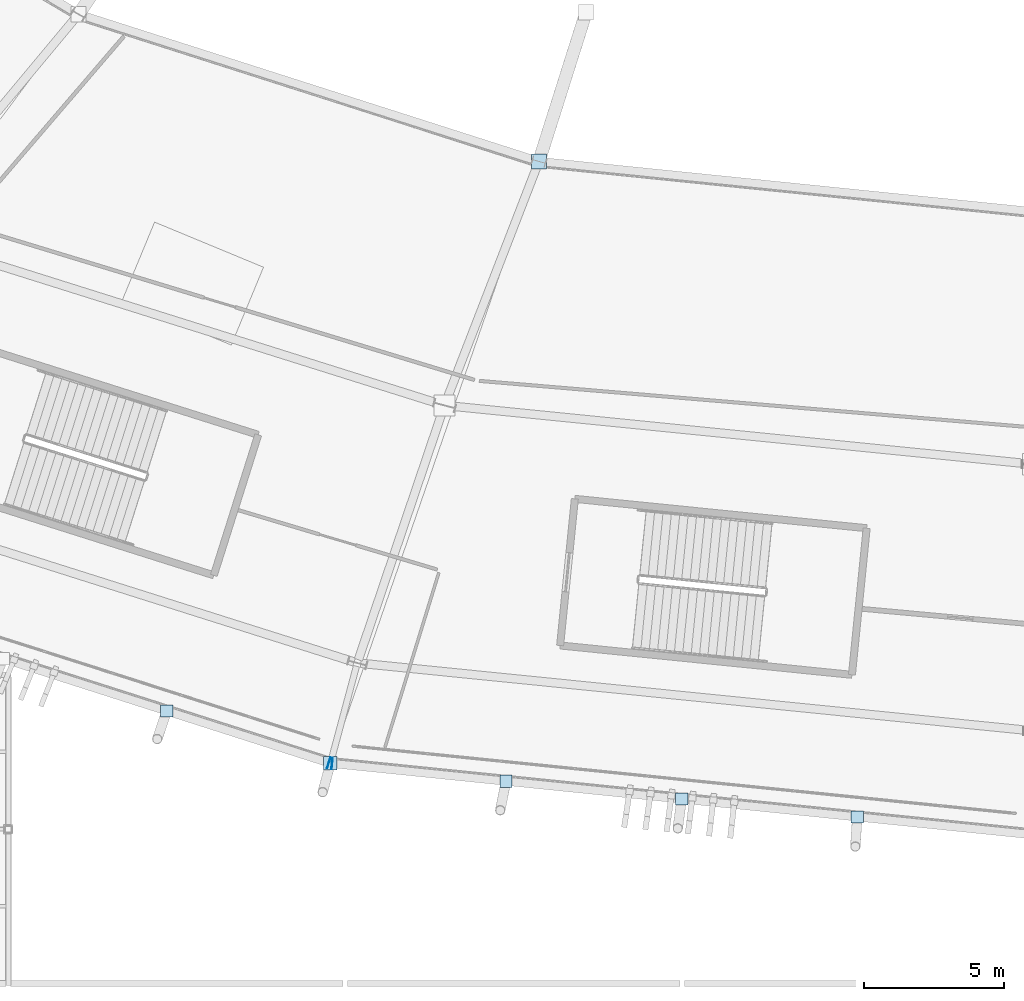
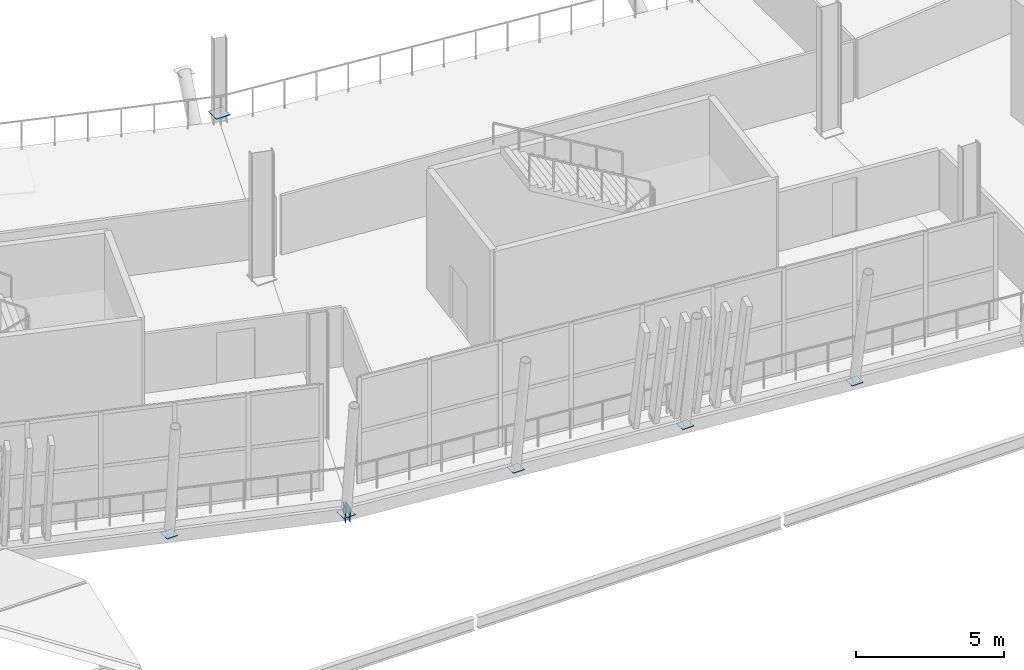
# One storey, part 95 of 168: 8 plates.
"""IFC4 building model written with IfcOpenShell, lengths in metres."""

from ifc_helpers import new_model, si_unit, direction, frame, origin, origin_2d, place, context, subcontext, project, spatial, rectangle, extrude, material, layer, layer_set, type_object, element, save


model = new_model("IFC4")

# Units and contexts
model_context = context("Model", 3, precision=1e-05, world=origin(), true_north=direction((0.0, 1.0)))
body_context = subcontext(model_context, "Body", "Model", "MODEL_VIEW")
ifc_project = project(units=[si_unit("LENGTHUNIT", "METRE"), si_unit("AREAUNIT", "SQUARE_METRE"), si_unit("VOLUMEUNIT", "CUBIC_METRE"), si_unit("PLANEANGLEUNIT", "RADIAN"), si_unit("MASSUNIT", "GRAM", prefix="KILO")], contexts=[model_context])

# Site, building, storey
site_placement = place(None, origin())
site = spatial("IfcSite", under=ifc_project, at=site_placement, CompositionType="ELEMENT")
building_placement = place(site_placement, origin())
building = spatial("IfcBuilding", under=site, at=building_placement, Name="Zlatoyarsky Gate Stadium", CompositionType="ELEMENT")
storey_placement = place(building_placement, frame((0.0, 0.0, 15.60009765625)))
storey = spatial("IfcBuildingStorey", under=building, at=storey_placement, Name="L03", CompositionType="ELEMENT", Elevation=15.60009765625)

# Plates
ifc_material = material(Name="Steel S355", Category="steel")
ifc_layer = layer(ifc_material, 0.02392578125)
ifc_layer_set = layer_set([ifc_layer], Name="Steel S355")
plate_type = type_object("IfcPlateType", Name="STEEL HOLLOW CHORD SPLICE SHEET 24", PredefinedType="SHEET", material=ifc_layer_set)
for number, where, z_axis, x_axis, name in (
    (1, (85.91455078125, 7.861572265625, -0.830078125), (0.0, 0.0, 1.0), (0.952429647301, -0.304758538753, 0.0), "Hollow end cap ND-SP1 CAP-L03-SPD-16 B"),
    (2, (86.03125, 7.837158203125, -0.830078125), (0.0, 0.0, 1.0), (0.994868281211, -0.101178570066, 0.0), "Hollow end cap ND-SP1 CAP-L03-SPD-17 A"),
):
    element("IfcPlate", number, at=place(storey_placement, frame(where, z_axis=z_axis, x_axis=x_axis)), inside=storey, type_object=plate_type, Name=name, PredefinedType="SHEET", context=body_context, shape_type="SweptSolid", body=[
        extrude(rectangle(XDim=0.02392578125, YDim=0.39990234375, at=origin_2d()), origin(), (0.0, 0.0, 1.0), 0.60009765625),
    ])
plate_1_placement = place(storey_placement, frame((85.9716796875, 7.84326171875, -0.592041015625), z_axis=(0.0, 0.0, 1.0), x_axis=(1.0, 0.0, 0.0)))
element("IfcPlate", 3, at=plate_1_placement, inside=storey, type_object=plate_type, Name="Node closure plate ND-SP1 NCAP-L03-RSTR-17", PredefinedType="SHEET", context=body_context, shape_type="SweptSolid", body=[
    extrude(rectangle(XDim=0.47998046875, YDim=0.47998046875, at=origin_2d()), origin(), (0.0, 0.0, 1.0), 0.02392578125),
])
plate_2_placement = place(storey_placement, frame((93.400390625, 29.288818359375, 0.337890625), z_axis=(0.0, 0.0, 1.0), x_axis=(1.0, 0.0, 0.0)))
element("IfcPlate", 4, at=plate_2_placement, inside=storey, type_object=plate_type, Name="Node closure plate ND-SP1 NCAP-UTOPB-17", PredefinedType="SHEET", context=body_context, shape_type="SweptSolid", body=[
    extrude(rectangle(XDim=0.5400390625, YDim=0.5400390625, at=origin_2d()), origin(), (0.0, 0.0, 1.0), 0.02392578125),
])
for number, where, z_axis, x_axis, name in (
    (5, (80.140869140625, 9.708984375, -0.5419921875), (0.0, 0.0, 1.0), (1.0, 0.0, 0.0), "Node closure plate ND-SP1 NCAP-RIB-16-3-1T"),
    (6, (92.228759765625, 7.206787109375, -0.5419921875), (0.0, 0.0, 1.0), (1.0, 0.0, 0.0), "Node closure plate ND-SP1 NCAP-RIB-17-1-1T"),
    (7, (98.48583984375, 6.570556640625, -0.5419921875), (0.0, 0.0, 1.0), (1.0, 0.0, 0.0), "Node closure plate ND-SP1 NCAP-RIB-17-2-1T"),
    (8, (104.742919921875, 5.93408203125, -0.5419921875), (0.0, 0.0, 1.0), (1.0, 0.0, 0.0), "Node closure plate ND-SP1 NCAP-RIB-17-3-1T"),
):
    element("IfcPlate", number, at=place(storey_placement, frame(where, z_axis=z_axis, x_axis=x_axis)), inside=storey, type_object=plate_type, Name=name, PredefinedType="SHEET", context=body_context, shape_type="SweptSolid", body=[
        extrude(rectangle(XDim=0.43994140625, YDim=0.43994140625, at=origin_2d()), origin(), (0.0, 0.0, 1.0), 0.02392578125),
    ])

save(model, "model.ifc")
